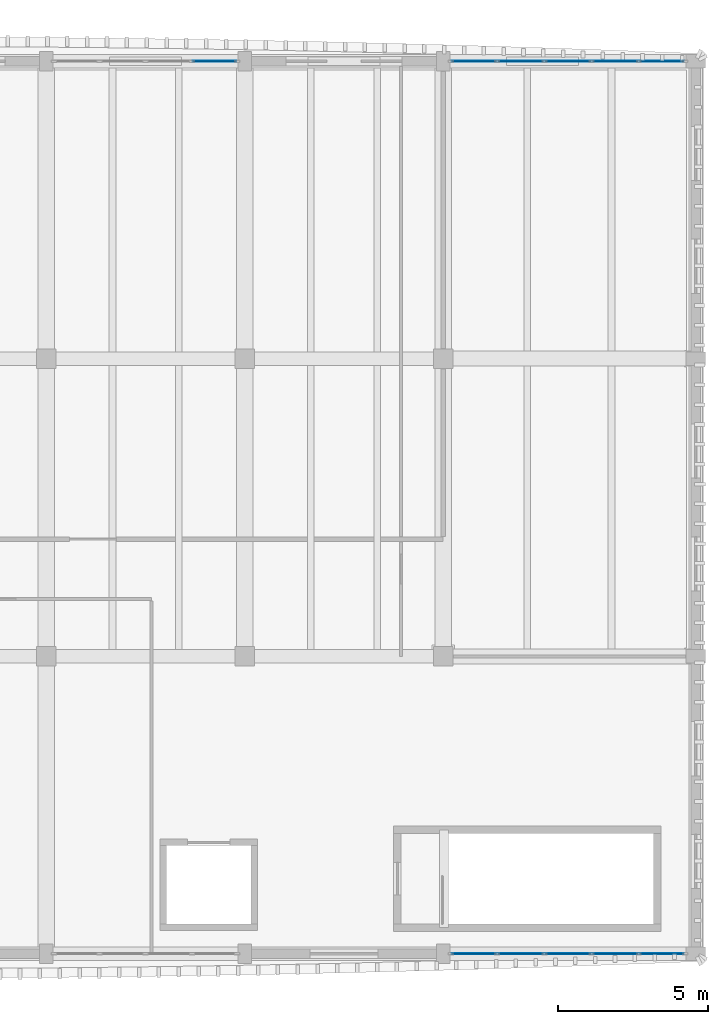
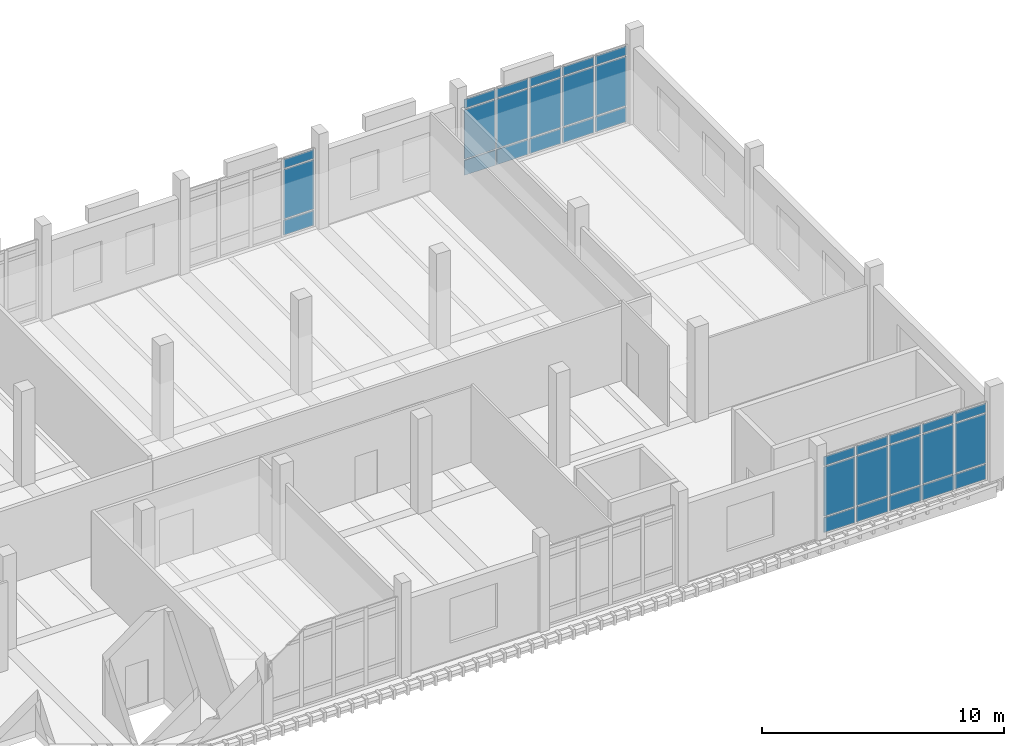
# One storey, part 17 of 37: 33 plates, 3 elements without a shape of their own.
"""IFC4 building model written with IfcOpenShell, lengths in metres."""

from ifc_helpers import new_model, si_unit, direction, frame, origin, origin_2d, place, context, subcontext, project, spatial, rectangle, extrude, material, layer, layer_set, type_object, element, aggregate, save


model = new_model("IFC4")

# Units and contexts
model_context = context("Model", 3, precision=1e-05, world=origin(), true_north=direction((0.0, 1.0)))
body_context = subcontext(model_context, "Body", "Model", "MODEL_VIEW")
ifc_project = project(units=[si_unit("LENGTHUNIT", "METRE"), si_unit("AREAUNIT", "SQUARE_METRE"), si_unit("VOLUMEUNIT", "CUBIC_METRE"), si_unit("PLANEANGLEUNIT", "RADIAN"), si_unit("MASSUNIT", "GRAM", prefix="KILO")], contexts=[model_context])

# Site, building, storey
site_placement = place(None, origin())
site = spatial("IfcSite", under=ifc_project, at=site_placement, CompositionType="ELEMENT")
building_placement = place(site_placement, origin())
building = spatial("IfcBuilding", under=site, at=building_placement, Name="Dornvale Research Institute", CompositionType="ELEMENT")
storey_placement = place(building_placement, frame((0.0, 0.0, 29.39990234375)))
storey = spatial("IfcBuildingStorey", under=building, at=storey_placement, Name="L06", CompositionType="ELEMENT", Elevation=29.39990234375)

# Curtain wall, plate
ifc_material_1 = material(Name="Low-E Argon Double Insulating Glazing Unit", Category="glass")
curtain_wall_type_1 = type_object("IfcCurtainWallType", Name="UnitisedCurtainWall_V4_6150x3950", PredefinedType="USERDEFINED", material=ifc_material_1)
curtain_wall_1_placement = place(storey_placement, origin())
curtain_wall_1 = element("IfcCurtainWall", 1, at=curtain_wall_1_placement, inside=storey, type_object=curtain_wall_type_1, Name="L06 V4 unitised curtain wall CW-15 #119", ObjectType="UNITISED CURTAIN WALL", PredefinedType="USERDEFINED")
ifc_material_2 = material(Name="Insulated Ceramic-Frit Spandrel Glass Panel", Category="glass")
ifc_layer_1 = layer(ifc_material_2, 0.0419921875)
ifc_layer_set_1 = layer_set([ifc_layer_1], Name="Insulated Ceramic-Frit Spandrel Glass Panel")
plate_type_1 = type_object("IfcPlateType", Name="CurtainPanel_Spandrel_42", PredefinedType="CURTAIN_PANEL", material=ifc_layer_set_1)
plate_1_placement = place(storey_placement, frame((157.389892578125, 122.10009765625, 0.065185546875), z_axis=(0.0, 0.0, 1.0), x_axis=(1.0, 0.0, 0.0)))
plate_1 = element("IfcPlate", 2, at=plate_1_placement, type_object=plate_type_1, Name="CW-15 panel 4.1", PredefinedType="CURTAIN_PANEL", context=body_context, shape_type="SweptSolid", body=[
    extrude(rectangle(XDim=1.43994140625, YDim=0.0419921875, at=origin_2d()), origin(), (0.0, 0.0, 1.0), 0.75244140625),
])

# Curtain wall, plates
ifc_material_3 = material(Name="Low-E Argon Double Insulating Glazing Unit", Category="glass")
curtain_wall_type_2 = type_object("IfcCurtainWallType", Name="UnitisedCurtainWall_V4_7850x3950", PredefinedType="USERDEFINED", material=ifc_material_3)
curtain_wall_2_placement = place(storey_placement, origin())
curtain_wall_2 = element("IfcCurtainWall", 3, at=curtain_wall_2_placement, inside=storey, type_object=curtain_wall_type_2, Name="L06 V4 unitised curtain wall CW-19 #120", ObjectType="UNITISED CURTAIN WALL", PredefinedType="USERDEFINED")
plate_2_placement = place(storey_placement, frame((166.0263671875, 122.10009765625, 0.065185546875), z_axis=(0.0, 0.0, 1.0), x_axis=(1.0, 0.0, 0.0)))
plate_2 = element("IfcPlate", 4, at=plate_2_placement, type_object=plate_type_1, Name="CW-19 panel 1.1", PredefinedType="CURTAIN_PANEL", context=body_context, shape_type="SweptSolid", body=[
    extrude(rectangle(XDim=1.472412109375, YDim=0.0419921875, at=origin_2d()), origin(), (0.0, 0.0, 1.0), 0.75244140625),
])
plate_3_placement = place(storey_placement, frame((167.580078125, 122.10009765625, 0.065185546875), z_axis=(0.0, 0.0, 1.0), x_axis=(1.0, 0.0, 0.0)))
plate_3 = element("IfcPlate", 5, at=plate_3_placement, type_object=plate_type_1, Name="CW-19 panel 2.1", PredefinedType="CURTAIN_PANEL", context=body_context, shape_type="SweptSolid", body=[
    extrude(rectangle(XDim=1.5048828125, YDim=0.0419921875, at=origin_2d()), origin(), (0.0, 0.0, 1.0), 0.75244140625),
])
plate_4_placement = place(storey_placement, frame((169.14990234375, 122.10009765625, 0.065185546875), z_axis=(0.0, 0.0, 1.0), x_axis=(1.0, 0.0, 0.0)))
plate_4 = element("IfcPlate", 6, at=plate_4_placement, type_object=plate_type_1, Name="CW-19 panel 3.1", PredefinedType="CURTAIN_PANEL", context=body_context, shape_type="SweptSolid", body=[
    extrude(rectangle(XDim=1.5048828125, YDim=0.0419921875, at=origin_2d()), origin(), (0.0, 0.0, 1.0), 0.75244140625),
])
plate_5_placement = place(storey_placement, frame((170.719970703125, 122.10009765625, 0.065185546875), z_axis=(0.0, 0.0, 1.0), x_axis=(1.0, 0.0, 0.0)))
plate_5 = element("IfcPlate", 7, at=plate_5_placement, type_object=plate_type_1, Name="CW-19 panel 4.1", PredefinedType="CURTAIN_PANEL", context=body_context, shape_type="SweptSolid", body=[
    extrude(rectangle(XDim=1.5048828125, YDim=0.0419921875, at=origin_2d()), origin(), (0.0, 0.0, 1.0), 0.75244140625),
])
plate_6_placement = place(storey_placement, frame((172.273681640625, 122.10009765625, 0.065185546875), z_axis=(0.0, 0.0, 1.0), x_axis=(1.0, 0.0, 0.0)))
plate_6 = element("IfcPlate", 8, at=plate_6_placement, type_object=plate_type_1, Name="CW-19 panel 5.1", PredefinedType="CURTAIN_PANEL", context=body_context, shape_type="SweptSolid", body=[
    extrude(rectangle(XDim=1.472412109375, YDim=0.0419921875, at=origin_2d()), origin(), (0.0, 0.0, 1.0), 0.75244140625),
])

curtain_wall_3_placement = place(storey_placement, origin())
curtain_wall_3 = element("IfcCurtainWall", 9, at=curtain_wall_3_placement, inside=storey, type_object=curtain_wall_type_2, Name="L06 V4 unitised curtain wall CW-19 #121", ObjectType="UNITISED CURTAIN WALL", PredefinedType="USERDEFINED")
plate_7_placement = place(storey_placement, frame((172.273681640625, 92.39990234375, 0.065185546875), z_axis=(0.0, 0.0, 1.0), x_axis=(-1.0, 0.0, 0.0)))
plate_7 = element("IfcPlate", 10, at=plate_7_placement, type_object=plate_type_1, Name="CW-19 panel 1.1", PredefinedType="CURTAIN_PANEL", context=body_context, shape_type="SweptSolid", body=[
    extrude(rectangle(XDim=1.472412109375, YDim=0.0419921875, at=origin_2d()), origin(), (0.0, 0.0, 1.0), 0.75244140625),
])
plate_8_placement = place(storey_placement, frame((170.719970703125, 92.39990234375, 0.065185546875), z_axis=(0.0, 0.0, 1.0), x_axis=(-1.0, 0.0, 0.0)))
plate_8 = element("IfcPlate", 11, at=plate_8_placement, type_object=plate_type_1, Name="CW-19 panel 2.1", PredefinedType="CURTAIN_PANEL", context=body_context, shape_type="SweptSolid", body=[
    extrude(rectangle(XDim=1.5048828125, YDim=0.0419921875, at=origin_2d()), origin(), (0.0, 0.0, 1.0), 0.75244140625),
])
plate_9_placement = place(storey_placement, frame((169.14990234375, 92.39990234375, 0.065185546875), z_axis=(0.0, 0.0, 1.0), x_axis=(-1.0, 0.0, 0.0)))
plate_9 = element("IfcPlate", 12, at=plate_9_placement, type_object=plate_type_1, Name="CW-19 panel 3.1", PredefinedType="CURTAIN_PANEL", context=body_context, shape_type="SweptSolid", body=[
    extrude(rectangle(XDim=1.5048828125, YDim=0.0419921875, at=origin_2d()), origin(), (0.0, 0.0, 1.0), 0.75244140625),
])
plate_10_placement = place(storey_placement, frame((167.580078125, 92.39990234375, 0.065185546875), z_axis=(0.0, 0.0, 1.0), x_axis=(-1.0, 0.0, 0.0)))
plate_10 = element("IfcPlate", 13, at=plate_10_placement, type_object=plate_type_1, Name="CW-19 panel 4.1", PredefinedType="CURTAIN_PANEL", context=body_context, shape_type="SweptSolid", body=[
    extrude(rectangle(XDim=1.5048828125, YDim=0.0419921875, at=origin_2d()), origin(), (0.0, 0.0, 1.0), 0.75244140625),
])
plate_11_placement = place(storey_placement, frame((166.0263671875, 92.39990234375, 0.065185546875), z_axis=(0.0, 0.0, 1.0), x_axis=(-1.0, 0.0, 0.0)))
plate_11 = element("IfcPlate", 14, at=plate_11_placement, type_object=plate_type_1, Name="CW-19 panel 5.1", PredefinedType="CURTAIN_PANEL", context=body_context, shape_type="SweptSolid", body=[
    extrude(rectangle(XDim=1.472412109375, YDim=0.0419921875, at=origin_2d()), origin(), (0.0, 0.0, 1.0), 0.75244140625),
])

# Plate
ifc_material_4 = material(Name="Low-E Argon Double Insulating Glazing Unit", Category="glass")
ifc_layer_2 = layer(ifc_material_4, 0.028076171875)
ifc_layer_set_2 = layer_set([ifc_layer_2], Name="Low-E Argon Double Insulating Glazing Unit")
plate_type_2 = type_object("IfcPlateType", Name="CurtainPanel_Vision_28", PredefinedType="CURTAIN_PANEL", material=ifc_layer_set_2)
plate_12_placement = place(storey_placement, frame((157.389892578125, 122.10009765625, 0.88232421875), z_axis=(0.0, 0.0, 1.0), x_axis=(1.0, 0.0, 0.0)))
plate_12 = element("IfcPlate", 15, at=plate_12_placement, type_object=plate_type_2, Name="CW-15 panel 4.2", PredefinedType="CURTAIN_PANEL", context=body_context, shape_type="SweptSolid", body=[
    extrude(rectangle(XDim=1.43994140625, YDim=0.028076171875, at=origin_2d()), origin(), (0.0, 0.0, 1.0), 2.485107421875),
])

plate_13_placement = place(storey_placement, frame((157.389892578125, 122.10009765625, 3.4326171875), z_axis=(0.0, 0.0, 1.0), x_axis=(1.0, 0.0, 0.0)))
plate_13 = element("IfcPlate", 16, at=plate_13_placement, type_object=plate_type_2, Name="CW-15 panel 4.3", PredefinedType="CURTAIN_PANEL", context=body_context, shape_type="SweptSolid", body=[
    extrude(rectangle(XDim=1.43994140625, YDim=0.028076171875, at=origin_2d()), origin(), (0.0, 0.0, 1.0), 0.452392578125),
])

aggregate(curtain_wall_1, [plate_1, plate_12, plate_13])

plate_14_placement = place(storey_placement, frame((166.0263671875, 122.10009765625, 0.88232421875), z_axis=(0.0, 0.0, 1.0), x_axis=(1.0, 0.0, 0.0)))
plate_14 = element("IfcPlate", 17, at=plate_14_placement, type_object=plate_type_2, Name="CW-19 panel 1.2", PredefinedType="CURTAIN_PANEL", context=body_context, shape_type="SweptSolid", body=[
    extrude(rectangle(XDim=1.472412109375, YDim=0.028076171875, at=origin_2d()), origin(), (0.0, 0.0, 1.0), 2.485107421875),
])

plate_15_placement = place(storey_placement, frame((166.0263671875, 122.10009765625, 3.4326171875), z_axis=(0.0, 0.0, 1.0), x_axis=(1.0, 0.0, 0.0)))
plate_15 = element("IfcPlate", 18, at=plate_15_placement, type_object=plate_type_2, Name="CW-19 panel 1.3", PredefinedType="CURTAIN_PANEL", context=body_context, shape_type="SweptSolid", body=[
    extrude(rectangle(XDim=1.472412109375, YDim=0.028076171875, at=origin_2d()), origin(), (0.0, 0.0, 1.0), 0.452392578125),
])

plate_16_placement = place(storey_placement, frame((167.580078125, 122.10009765625, 0.88232421875), z_axis=(0.0, 0.0, 1.0), x_axis=(1.0, 0.0, 0.0)))
plate_16 = element("IfcPlate", 19, at=plate_16_placement, type_object=plate_type_2, Name="CW-19 panel 2.2", PredefinedType="CURTAIN_PANEL", context=body_context, shape_type="SweptSolid", body=[
    extrude(rectangle(XDim=1.5048828125, YDim=0.028076171875, at=origin_2d()), origin(), (0.0, 0.0, 1.0), 2.485107421875),
])

plate_17_placement = place(storey_placement, frame((167.580078125, 122.10009765625, 3.4326171875), z_axis=(0.0, 0.0, 1.0), x_axis=(1.0, 0.0, 0.0)))
plate_17 = element("IfcPlate", 20, at=plate_17_placement, type_object=plate_type_2, Name="CW-19 panel 2.3", PredefinedType="CURTAIN_PANEL", context=body_context, shape_type="SweptSolid", body=[
    extrude(rectangle(XDim=1.5048828125, YDim=0.028076171875, at=origin_2d()), origin(), (0.0, 0.0, 1.0), 0.452392578125),
])

plate_18_placement = place(storey_placement, frame((169.14990234375, 122.10009765625, 0.88232421875), z_axis=(0.0, 0.0, 1.0), x_axis=(1.0, 0.0, 0.0)))
plate_18 = element("IfcPlate", 21, at=plate_18_placement, type_object=plate_type_2, Name="CW-19 panel 3.2", PredefinedType="CURTAIN_PANEL", context=body_context, shape_type="SweptSolid", body=[
    extrude(rectangle(XDim=1.5048828125, YDim=0.028076171875, at=origin_2d()), origin(), (0.0, 0.0, 1.0), 2.485107421875),
])

plate_19_placement = place(storey_placement, frame((169.14990234375, 122.10009765625, 3.4326171875), z_axis=(0.0, 0.0, 1.0), x_axis=(1.0, 0.0, 0.0)))
plate_19 = element("IfcPlate", 22, at=plate_19_placement, type_object=plate_type_2, Name="CW-19 panel 3.3", PredefinedType="CURTAIN_PANEL", context=body_context, shape_type="SweptSolid", body=[
    extrude(rectangle(XDim=1.5048828125, YDim=0.028076171875, at=origin_2d()), origin(), (0.0, 0.0, 1.0), 0.452392578125),
])

plate_20_placement = place(storey_placement, frame((170.719970703125, 122.10009765625, 0.88232421875), z_axis=(0.0, 0.0, 1.0), x_axis=(1.0, 0.0, 0.0)))
plate_20 = element("IfcPlate", 23, at=plate_20_placement, type_object=plate_type_2, Name="CW-19 panel 4.2", PredefinedType="CURTAIN_PANEL", context=body_context, shape_type="SweptSolid", body=[
    extrude(rectangle(XDim=1.5048828125, YDim=0.028076171875, at=origin_2d()), origin(), (0.0, 0.0, 1.0), 2.485107421875),
])

plate_21_placement = place(storey_placement, frame((170.719970703125, 122.10009765625, 3.4326171875), z_axis=(0.0, 0.0, 1.0), x_axis=(1.0, 0.0, 0.0)))
plate_21 = element("IfcPlate", 24, at=plate_21_placement, type_object=plate_type_2, Name="CW-19 panel 4.3", PredefinedType="CURTAIN_PANEL", context=body_context, shape_type="SweptSolid", body=[
    extrude(rectangle(XDim=1.5048828125, YDim=0.028076171875, at=origin_2d()), origin(), (0.0, 0.0, 1.0), 0.452392578125),
])

plate_22_placement = place(storey_placement, frame((172.273681640625, 122.10009765625, 0.88232421875), z_axis=(0.0, 0.0, 1.0), x_axis=(1.0, 0.0, 0.0)))
plate_22 = element("IfcPlate", 25, at=plate_22_placement, type_object=plate_type_2, Name="CW-19 panel 5.2", PredefinedType="CURTAIN_PANEL", context=body_context, shape_type="SweptSolid", body=[
    extrude(rectangle(XDim=1.472412109375, YDim=0.028076171875, at=origin_2d()), origin(), (0.0, 0.0, 1.0), 2.485107421875),
])

plate_23_placement = place(storey_placement, frame((172.273681640625, 122.10009765625, 3.4326171875), z_axis=(0.0, 0.0, 1.0), x_axis=(1.0, 0.0, 0.0)))
plate_23 = element("IfcPlate", 26, at=plate_23_placement, type_object=plate_type_2, Name="CW-19 panel 5.3", PredefinedType="CURTAIN_PANEL", context=body_context, shape_type="SweptSolid", body=[
    extrude(rectangle(XDim=1.472412109375, YDim=0.028076171875, at=origin_2d()), origin(), (0.0, 0.0, 1.0), 0.452392578125),
])

aggregate(curtain_wall_2, [plate_2, plate_14, plate_15, plate_3, plate_16, plate_17, plate_4, plate_18, plate_19, plate_5, plate_20, plate_21, plate_6, plate_22, plate_23])

plate_24_placement = place(storey_placement, frame((172.273681640625, 92.39990234375, 0.88232421875), z_axis=(0.0, 0.0, 1.0), x_axis=(-1.0, 0.0, 0.0)))
plate_24 = element("IfcPlate", 27, at=plate_24_placement, type_object=plate_type_2, Name="CW-19 panel 1.2", PredefinedType="CURTAIN_PANEL", context=body_context, shape_type="SweptSolid", body=[
    extrude(rectangle(XDim=1.472412109375, YDim=0.028076171875, at=origin_2d()), origin(), (0.0, 0.0, 1.0), 2.485107421875),
])

plate_25_placement = place(storey_placement, frame((172.273681640625, 92.39990234375, 3.4326171875), z_axis=(0.0, 0.0, 1.0), x_axis=(-1.0, 0.0, 0.0)))
plate_25 = element("IfcPlate", 28, at=plate_25_placement, type_object=plate_type_2, Name="CW-19 panel 1.3", PredefinedType="CURTAIN_PANEL", context=body_context, shape_type="SweptSolid", body=[
    extrude(rectangle(XDim=1.472412109375, YDim=0.028076171875, at=origin_2d()), origin(), (0.0, 0.0, 1.0), 0.452392578125),
])

plate_26_placement = place(storey_placement, frame((170.719970703125, 92.39990234375, 0.88232421875), z_axis=(0.0, 0.0, 1.0), x_axis=(-1.0, 0.0, 0.0)))
plate_26 = element("IfcPlate", 29, at=plate_26_placement, type_object=plate_type_2, Name="CW-19 panel 2.2", PredefinedType="CURTAIN_PANEL", context=body_context, shape_type="SweptSolid", body=[
    extrude(rectangle(XDim=1.5048828125, YDim=0.028076171875, at=origin_2d()), origin(), (0.0, 0.0, 1.0), 2.485107421875),
])

plate_27_placement = place(storey_placement, frame((170.719970703125, 92.39990234375, 3.4326171875), z_axis=(0.0, 0.0, 1.0), x_axis=(-1.0, 0.0, 0.0)))
plate_27 = element("IfcPlate", 30, at=plate_27_placement, type_object=plate_type_2, Name="CW-19 panel 2.3", PredefinedType="CURTAIN_PANEL", context=body_context, shape_type="SweptSolid", body=[
    extrude(rectangle(XDim=1.5048828125, YDim=0.028076171875, at=origin_2d()), origin(), (0.0, 0.0, 1.0), 0.452392578125),
])

plate_28_placement = place(storey_placement, frame((169.14990234375, 92.39990234375, 0.88232421875), z_axis=(0.0, 0.0, 1.0), x_axis=(-1.0, 0.0, 0.0)))
plate_28 = element("IfcPlate", 31, at=plate_28_placement, type_object=plate_type_2, Name="CW-19 panel 3.2", PredefinedType="CURTAIN_PANEL", context=body_context, shape_type="SweptSolid", body=[
    extrude(rectangle(XDim=1.5048828125, YDim=0.028076171875, at=origin_2d()), origin(), (0.0, 0.0, 1.0), 2.485107421875),
])

plate_29_placement = place(storey_placement, frame((169.14990234375, 92.39990234375, 3.4326171875), z_axis=(0.0, 0.0, 1.0), x_axis=(-1.0, 0.0, 0.0)))
plate_29 = element("IfcPlate", 32, at=plate_29_placement, type_object=plate_type_2, Name="CW-19 panel 3.3", PredefinedType="CURTAIN_PANEL", context=body_context, shape_type="SweptSolid", body=[
    extrude(rectangle(XDim=1.5048828125, YDim=0.028076171875, at=origin_2d()), origin(), (0.0, 0.0, 1.0), 0.452392578125),
])

plate_30_placement = place(storey_placement, frame((167.580078125, 92.39990234375, 0.88232421875), z_axis=(0.0, 0.0, 1.0), x_axis=(-1.0, 0.0, 0.0)))
plate_30 = element("IfcPlate", 33, at=plate_30_placement, type_object=plate_type_2, Name="CW-19 panel 4.2", PredefinedType="CURTAIN_PANEL", context=body_context, shape_type="SweptSolid", body=[
    extrude(rectangle(XDim=1.5048828125, YDim=0.028076171875, at=origin_2d()), origin(), (0.0, 0.0, 1.0), 2.485107421875),
])

plate_31_placement = place(storey_placement, frame((167.580078125, 92.39990234375, 3.4326171875), z_axis=(0.0, 0.0, 1.0), x_axis=(-1.0, 0.0, 0.0)))
plate_31 = element("IfcPlate", 34, at=plate_31_placement, type_object=plate_type_2, Name="CW-19 panel 4.3", PredefinedType="CURTAIN_PANEL", context=body_context, shape_type="SweptSolid", body=[
    extrude(rectangle(XDim=1.5048828125, YDim=0.028076171875, at=origin_2d()), origin(), (0.0, 0.0, 1.0), 0.452392578125),
])

plate_32_placement = place(storey_placement, frame((166.0263671875, 92.39990234375, 0.88232421875), z_axis=(0.0, 0.0, 1.0), x_axis=(-1.0, 0.0, 0.0)))
plate_32 = element("IfcPlate", 35, at=plate_32_placement, type_object=plate_type_2, Name="CW-19 panel 5.2", PredefinedType="CURTAIN_PANEL", context=body_context, shape_type="SweptSolid", body=[
    extrude(rectangle(XDim=1.472412109375, YDim=0.028076171875, at=origin_2d()), origin(), (0.0, 0.0, 1.0), 2.485107421875),
])

plate_33_placement = place(storey_placement, frame((166.0263671875, 92.39990234375, 3.4326171875), z_axis=(0.0, 0.0, 1.0), x_axis=(-1.0, 0.0, 0.0)))
plate_33 = element("IfcPlate", 36, at=plate_33_placement, type_object=plate_type_2, Name="CW-19 panel 5.3", PredefinedType="CURTAIN_PANEL", context=body_context, shape_type="SweptSolid", body=[
    extrude(rectangle(XDim=1.472412109375, YDim=0.028076171875, at=origin_2d()), origin(), (0.0, 0.0, 1.0), 0.452392578125),
])

aggregate(curtain_wall_3, [plate_7, plate_24, plate_25, plate_8, plate_26, plate_27, plate_9, plate_28, plate_29, plate_10, plate_30, plate_31, plate_11, plate_32, plate_33])

save(model, "model.ifc")
